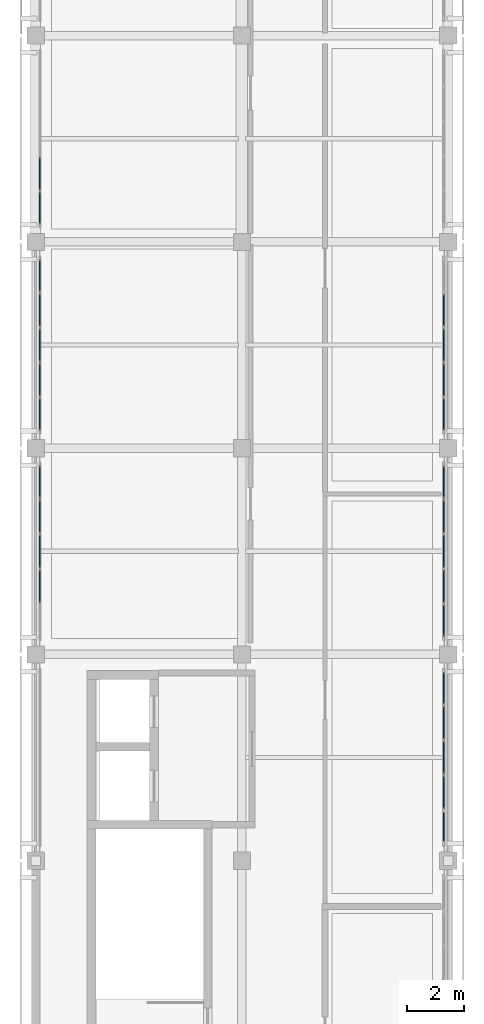
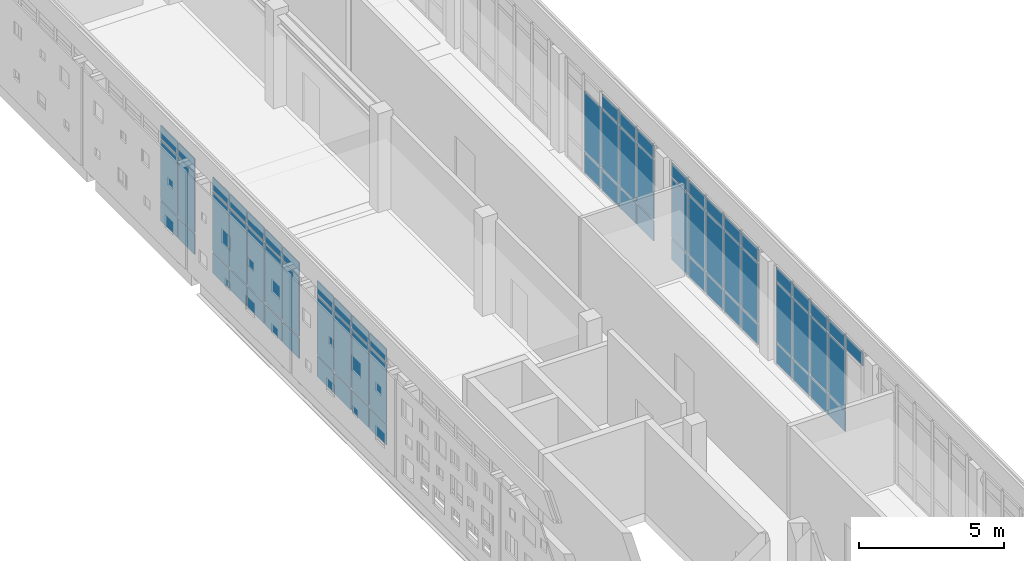
# One storey, part 11 of 19: 72 plates, 6 elements without a shape of their own.
"""IFC4 building model written with IfcOpenShell, lengths in metres."""

from ifc_helpers import new_model, si_unit, direction, frame, origin, origin_2d, place, context, subcontext, project, spatial, rectangle, extrude, material, layer, layer_set, type_object, element, aggregate, save


model = new_model("IFC4")

# Units and contexts
model_context = context("Model", 3, precision=1e-05, world=origin(), true_north=direction((0.0, 1.0)))
body_context = subcontext(model_context, "Body", "Model", "MODEL_VIEW")
ifc_project = project(units=[si_unit("LENGTHUNIT", "METRE"), si_unit("AREAUNIT", "SQUARE_METRE"), si_unit("VOLUMEUNIT", "CUBIC_METRE"), si_unit("PLANEANGLEUNIT", "RADIAN"), si_unit("MASSUNIT", "GRAM", prefix="KILO")], contexts=[model_context])

# Site, building, storey
site_placement = place(None, origin())
site = spatial("IfcSite", under=ifc_project, at=site_placement, CompositionType="ELEMENT")
building_placement = place(site_placement, origin())
building = spatial("IfcBuilding", under=site, at=building_placement, Name="Valkovuoma Quantum and Materials Research Institute", CompositionType="ELEMENT")
storey_placement = place(building_placement, frame((0.0, 0.0, 38.080078125)))
storey = spatial("IfcBuildingStorey", under=building, at=storey_placement, Name="L09", CompositionType="ELEMENT", Elevation=38.080078125)

# Curtain wall, plates
ifc_material_1 = material(Name="Thermally broken aluminium and triple low-E glazing", Category="aluminium")
ifc_layer_1 = layer(ifc_material_1, 0.219970703125)
ifc_layer_set_1 = layer_set([ifc_layer_1], Name="Thermally broken aluminium and triple low-E glazing")
curtain_wall_type = type_object("IfcCurtainWallType", Name="CW-CW-01", PredefinedType="NOTDEFINED", material=ifc_layer_set_1)
curtain_wall_1_placement = place(storey_placement, origin())
curtain_wall_1 = element("IfcCurtainWall", 1, at=curtain_wall_1_placement, inside=storey, type_object=curtain_wall_type, Name="L09 curtain wall 132", PredefinedType="NOTDEFINED")
ifc_material_2 = material(Name="Triple low-E argon insulating glass", Category="glass")
ifc_layer_2 = layer(ifc_material_2, 0.035888671875)
ifc_layer_set_2 = layer_set([ifc_layer_2], Name="Triple low-E argon insulating glass")
plate_type_1 = type_object("IfcPlateType", Name="CWPanel-CWP-01", PredefinedType="CURTAIN_PANEL", material=ifc_layer_set_2)
plate_1_placement = place(storey_placement, frame((0.14990234375, 45.582763671875, 0.06494140625), z_axis=(0.0, 0.0, 1.0), x_axis=(0.0, 1.0, 0.0)))
plate_1 = element("IfcPlate", 2, at=plate_1_placement, type_object=plate_type_1, Name="CW-01 panel 2.1", PredefinedType="CURTAIN_PANEL", context=body_context, shape_type="SweptSolid", body=[
    extrude(rectangle(XDim=1.152099609375, YDim=0.035888671875, at=origin_2d()), origin(), (0.0, 0.0, 1.0), 0.8525390625),
])
plate_2_placement = place(storey_placement, frame((0.14990234375, 45.582763671875, 0.982421875), z_axis=(0.0, 0.0, 1.0), x_axis=(0.0, 1.0, 0.0)))
plate_2 = element("IfcPlate", 3, at=plate_2_placement, type_object=plate_type_1, Name="CW-01 panel 2.2", PredefinedType="CURTAIN_PANEL", context=body_context, shape_type="SweptSolid", body=[
    extrude(rectangle(XDim=1.152099609375, YDim=0.035888671875, at=origin_2d()), origin(), (0.0, 0.0, 1.0), 2.4951171875),
])
plate_3_placement = place(storey_placement, frame((0.14990234375, 45.582763671875, 3.54248046875), z_axis=(0.0, 0.0, 1.0), x_axis=(0.0, 1.0, 0.0)))
plate_3 = element("IfcPlate", 4, at=plate_3_placement, type_object=plate_type_1, Name="CW-01 panel 2.3", PredefinedType="CURTAIN_PANEL", context=body_context, shape_type="SweptSolid", body=[
    extrude(rectangle(XDim=1.152099609375, YDim=0.035888671875, at=origin_2d()), origin(), (0.0, 0.0, 1.0), 0.552490234375),
])
plate_4_placement = place(storey_placement, frame((0.14990234375, 46.800048828125, 0.06494140625), z_axis=(0.0, 0.0, 1.0), x_axis=(0.0, 1.0, 0.0)))
plate_4 = element("IfcPlate", 5, at=plate_4_placement, type_object=plate_type_1, Name="CW-01 panel 3.1", PredefinedType="CURTAIN_PANEL", context=body_context, shape_type="SweptSolid", body=[
    extrude(rectangle(XDim=1.152099609375, YDim=0.035888671875, at=origin_2d()), origin(), (0.0, 0.0, 1.0), 0.8525390625),
])
plate_5_placement = place(storey_placement, frame((0.14990234375, 46.800048828125, 0.982421875), z_axis=(0.0, 0.0, 1.0), x_axis=(0.0, 1.0, 0.0)))
plate_5 = element("IfcPlate", 6, at=plate_5_placement, type_object=plate_type_1, Name="CW-01 panel 3.2", PredefinedType="CURTAIN_PANEL", context=body_context, shape_type="SweptSolid", body=[
    extrude(rectangle(XDim=1.152099609375, YDim=0.035888671875, at=origin_2d()), origin(), (0.0, 0.0, 1.0), 2.4951171875),
])
plate_6_placement = place(storey_placement, frame((0.14990234375, 46.800048828125, 3.54248046875), z_axis=(0.0, 0.0, 1.0), x_axis=(0.0, 1.0, 0.0)))
plate_6 = element("IfcPlate", 7, at=plate_6_placement, type_object=plate_type_1, Name="CW-01 panel 3.3", PredefinedType="CURTAIN_PANEL", context=body_context, shape_type="SweptSolid", body=[
    extrude(rectangle(XDim=1.152099609375, YDim=0.035888671875, at=origin_2d()), origin(), (0.0, 0.0, 1.0), 0.552490234375),
])
plate_7_placement = place(storey_placement, frame((0.14990234375, 48.01708984375, 0.06494140625), z_axis=(0.0, 0.0, 1.0), x_axis=(0.0, 1.0, 0.0)))
plate_7 = element("IfcPlate", 8, at=plate_7_placement, type_object=plate_type_1, Name="CW-01 panel 4.1", PredefinedType="CURTAIN_PANEL", context=body_context, shape_type="SweptSolid", body=[
    extrude(rectangle(XDim=1.152099609375, YDim=0.035888671875, at=origin_2d()), origin(), (0.0, 0.0, 1.0), 0.8525390625),
])
plate_8_placement = place(storey_placement, frame((0.14990234375, 48.01708984375, 0.982421875), z_axis=(0.0, 0.0, 1.0), x_axis=(0.0, 1.0, 0.0)))
plate_8 = element("IfcPlate", 9, at=plate_8_placement, type_object=plate_type_1, Name="CW-01 panel 4.2", PredefinedType="CURTAIN_PANEL", context=body_context, shape_type="SweptSolid", body=[
    extrude(rectangle(XDim=1.152099609375, YDim=0.035888671875, at=origin_2d()), origin(), (0.0, 0.0, 1.0), 2.4951171875),
])
plate_9_placement = place(storey_placement, frame((0.14990234375, 48.01708984375, 3.54248046875), z_axis=(0.0, 0.0, 1.0), x_axis=(0.0, 1.0, 0.0)))
plate_9 = element("IfcPlate", 10, at=plate_9_placement, type_object=plate_type_1, Name="CW-01 panel 4.3", PredefinedType="CURTAIN_PANEL", context=body_context, shape_type="SweptSolid", body=[
    extrude(rectangle(XDim=1.152099609375, YDim=0.035888671875, at=origin_2d()), origin(), (0.0, 0.0, 1.0), 0.552490234375),
])
plate_10_placement = place(storey_placement, frame((0.14990234375, 49.218017578125, 0.06494140625), z_axis=(0.0, 0.0, 1.0), x_axis=(0.0, 1.0, 0.0)))
plate_10 = element("IfcPlate", 11, at=plate_10_placement, type_object=plate_type_1, Name="CW-01 panel 5.1", PredefinedType="CURTAIN_PANEL", context=body_context, shape_type="SweptSolid", body=[
    extrude(rectangle(XDim=1.11962890625, YDim=0.035888671875, at=origin_2d()), origin(), (0.0, 0.0, 1.0), 0.8525390625),
])
plate_11_placement = place(storey_placement, frame((0.14990234375, 49.218017578125, 0.982421875), z_axis=(0.0, 0.0, 1.0), x_axis=(0.0, 1.0, 0.0)))
plate_11 = element("IfcPlate", 12, at=plate_11_placement, type_object=plate_type_1, Name="CW-01 panel 5.2", PredefinedType="CURTAIN_PANEL", context=body_context, shape_type="SweptSolid", body=[
    extrude(rectangle(XDim=1.11962890625, YDim=0.035888671875, at=origin_2d()), origin(), (0.0, 0.0, 1.0), 2.4951171875),
])
plate_12_placement = place(storey_placement, frame((0.14990234375, 49.218017578125, 3.54248046875), z_axis=(0.0, 0.0, 1.0), x_axis=(0.0, 1.0, 0.0)))
plate_12 = element("IfcPlate", 13, at=plate_12_placement, type_object=plate_type_1, Name="CW-01 panel 5.3", PredefinedType="CURTAIN_PANEL", context=body_context, shape_type="SweptSolid", body=[
    extrude(rectangle(XDim=1.11962890625, YDim=0.035888671875, at=origin_2d()), origin(), (0.0, 0.0, 1.0), 0.552490234375),
])
aggregate(curtain_wall_1, [plate_1, plate_2, plate_3, plate_4, plate_5, plate_6, plate_7, plate_8, plate_9, plate_10, plate_11, plate_12])

curtain_wall_2_placement = place(storey_placement, origin())
curtain_wall_2 = element("IfcCurtainWall", 14, at=curtain_wall_2_placement, inside=storey, type_object=curtain_wall_type, Name="L09 curtain wall 134", PredefinedType="NOTDEFINED")
plate_13_placement = place(storey_placement, frame((0.14990234375, 51.58203125, 0.06494140625), z_axis=(0.0, 0.0, 1.0), x_axis=(0.0, 1.0, 0.0)))
plate_13 = element("IfcPlate", 15, at=plate_13_placement, type_object=plate_type_1, Name="CW-01 panel 1.1", PredefinedType="CURTAIN_PANEL", context=body_context, shape_type="SweptSolid", body=[
    extrude(rectangle(XDim=1.11962890625, YDim=0.035888671875, at=origin_2d()), origin(), (0.0, 0.0, 1.0), 0.8525390625),
])
plate_14_placement = place(storey_placement, frame((0.14990234375, 51.58203125, 0.982421875), z_axis=(0.0, 0.0, 1.0), x_axis=(0.0, 1.0, 0.0)))
plate_14 = element("IfcPlate", 16, at=plate_14_placement, type_object=plate_type_1, Name="CW-01 panel 1.2", PredefinedType="CURTAIN_PANEL", context=body_context, shape_type="SweptSolid", body=[
    extrude(rectangle(XDim=1.11962890625, YDim=0.035888671875, at=origin_2d()), origin(), (0.0, 0.0, 1.0), 2.4951171875),
])
plate_15_placement = place(storey_placement, frame((0.14990234375, 51.58203125, 3.54248046875), z_axis=(0.0, 0.0, 1.0), x_axis=(0.0, 1.0, 0.0)))
plate_15 = element("IfcPlate", 17, at=plate_15_placement, type_object=plate_type_1, Name="CW-01 panel 1.3", PredefinedType="CURTAIN_PANEL", context=body_context, shape_type="SweptSolid", body=[
    extrude(rectangle(XDim=1.11962890625, YDim=0.035888671875, at=origin_2d()), origin(), (0.0, 0.0, 1.0), 0.552490234375),
])
plate_16_placement = place(storey_placement, frame((0.14990234375, 52.782958984375, 0.06494140625), z_axis=(0.0, 0.0, 1.0), x_axis=(0.0, 1.0, 0.0)))
plate_16 = element("IfcPlate", 18, at=plate_16_placement, type_object=plate_type_1, Name="CW-01 panel 2.1", PredefinedType="CURTAIN_PANEL", context=body_context, shape_type="SweptSolid", body=[
    extrude(rectangle(XDim=1.152099609375, YDim=0.035888671875, at=origin_2d()), origin(), (0.0, 0.0, 1.0), 0.8525390625),
])
plate_17_placement = place(storey_placement, frame((0.14990234375, 52.782958984375, 0.982421875), z_axis=(0.0, 0.0, 1.0), x_axis=(0.0, 1.0, 0.0)))
plate_17 = element("IfcPlate", 19, at=plate_17_placement, type_object=plate_type_1, Name="CW-01 panel 2.2", PredefinedType="CURTAIN_PANEL", context=body_context, shape_type="SweptSolid", body=[
    extrude(rectangle(XDim=1.152099609375, YDim=0.035888671875, at=origin_2d()), origin(), (0.0, 0.0, 1.0), 2.4951171875),
])
plate_18_placement = place(storey_placement, frame((0.14990234375, 52.782958984375, 3.54248046875), z_axis=(0.0, 0.0, 1.0), x_axis=(0.0, 1.0, 0.0)))
plate_18 = element("IfcPlate", 20, at=plate_18_placement, type_object=plate_type_1, Name="CW-01 panel 2.3", PredefinedType="CURTAIN_PANEL", context=body_context, shape_type="SweptSolid", body=[
    extrude(rectangle(XDim=1.152099609375, YDim=0.035888671875, at=origin_2d()), origin(), (0.0, 0.0, 1.0), 0.552490234375),
])
plate_19_placement = place(storey_placement, frame((0.14990234375, 54.0, 0.06494140625), z_axis=(0.0, 0.0, 1.0), x_axis=(0.0, 1.0, 0.0)))
plate_19 = element("IfcPlate", 21, at=plate_19_placement, type_object=plate_type_1, Name="CW-01 panel 3.1", PredefinedType="CURTAIN_PANEL", context=body_context, shape_type="SweptSolid", body=[
    extrude(rectangle(XDim=1.152099609375, YDim=0.035888671875, at=origin_2d()), origin(), (0.0, 0.0, 1.0), 0.8525390625),
])
plate_20_placement = place(storey_placement, frame((0.14990234375, 54.0, 0.982421875), z_axis=(0.0, 0.0, 1.0), x_axis=(0.0, 1.0, 0.0)))
plate_20 = element("IfcPlate", 22, at=plate_20_placement, type_object=plate_type_1, Name="CW-01 panel 3.2", PredefinedType="CURTAIN_PANEL", context=body_context, shape_type="SweptSolid", body=[
    extrude(rectangle(XDim=1.152099609375, YDim=0.035888671875, at=origin_2d()), origin(), (0.0, 0.0, 1.0), 2.4951171875),
])
plate_21_placement = place(storey_placement, frame((0.14990234375, 54.0, 3.54248046875), z_axis=(0.0, 0.0, 1.0), x_axis=(0.0, 1.0, 0.0)))
plate_21 = element("IfcPlate", 23, at=plate_21_placement, type_object=plate_type_1, Name="CW-01 panel 3.3", PredefinedType="CURTAIN_PANEL", context=body_context, shape_type="SweptSolid", body=[
    extrude(rectangle(XDim=1.152099609375, YDim=0.035888671875, at=origin_2d()), origin(), (0.0, 0.0, 1.0), 0.552490234375),
])
plate_22_placement = place(storey_placement, frame((0.14990234375, 55.217041015625, 0.06494140625), z_axis=(0.0, 0.0, 1.0), x_axis=(0.0, 1.0, 0.0)))
plate_22 = element("IfcPlate", 24, at=plate_22_placement, type_object=plate_type_1, Name="CW-01 panel 4.1", PredefinedType="CURTAIN_PANEL", context=body_context, shape_type="SweptSolid", body=[
    extrude(rectangle(XDim=1.152099609375, YDim=0.035888671875, at=origin_2d()), origin(), (0.0, 0.0, 1.0), 0.8525390625),
])
plate_23_placement = place(storey_placement, frame((0.14990234375, 55.217041015625, 0.982421875), z_axis=(0.0, 0.0, 1.0), x_axis=(0.0, 1.0, 0.0)))
plate_23 = element("IfcPlate", 25, at=plate_23_placement, type_object=plate_type_1, Name="CW-01 panel 4.2", PredefinedType="CURTAIN_PANEL", context=body_context, shape_type="SweptSolid", body=[
    extrude(rectangle(XDim=1.152099609375, YDim=0.035888671875, at=origin_2d()), origin(), (0.0, 0.0, 1.0), 2.4951171875),
])
plate_24_placement = place(storey_placement, frame((0.14990234375, 55.217041015625, 3.54248046875), z_axis=(0.0, 0.0, 1.0), x_axis=(0.0, 1.0, 0.0)))
plate_24 = element("IfcPlate", 26, at=plate_24_placement, type_object=plate_type_1, Name="CW-01 panel 4.3", PredefinedType="CURTAIN_PANEL", context=body_context, shape_type="SweptSolid", body=[
    extrude(rectangle(XDim=1.152099609375, YDim=0.035888671875, at=origin_2d()), origin(), (0.0, 0.0, 1.0), 0.552490234375),
])
plate_25_placement = place(storey_placement, frame((0.14990234375, 56.41796875, 0.06494140625), z_axis=(0.0, 0.0, 1.0), x_axis=(0.0, 1.0, 0.0)))
plate_25 = element("IfcPlate", 27, at=plate_25_placement, type_object=plate_type_1, Name="CW-01 panel 5.1", PredefinedType="CURTAIN_PANEL", context=body_context, shape_type="SweptSolid", body=[
    extrude(rectangle(XDim=1.11962890625, YDim=0.035888671875, at=origin_2d()), origin(), (0.0, 0.0, 1.0), 0.8525390625),
])
plate_26_placement = place(storey_placement, frame((0.14990234375, 56.41796875, 0.982421875), z_axis=(0.0, 0.0, 1.0), x_axis=(0.0, 1.0, 0.0)))
plate_26 = element("IfcPlate", 28, at=plate_26_placement, type_object=plate_type_1, Name="CW-01 panel 5.2", PredefinedType="CURTAIN_PANEL", context=body_context, shape_type="SweptSolid", body=[
    extrude(rectangle(XDim=1.11962890625, YDim=0.035888671875, at=origin_2d()), origin(), (0.0, 0.0, 1.0), 2.4951171875),
])
plate_27_placement = place(storey_placement, frame((0.14990234375, 56.41796875, 3.54248046875), z_axis=(0.0, 0.0, 1.0), x_axis=(0.0, 1.0, 0.0)))
plate_27 = element("IfcPlate", 29, at=plate_27_placement, type_object=plate_type_1, Name="CW-01 panel 5.3", PredefinedType="CURTAIN_PANEL", context=body_context, shape_type="SweptSolid", body=[
    extrude(rectangle(XDim=1.11962890625, YDim=0.035888671875, at=origin_2d()), origin(), (0.0, 0.0, 1.0), 0.552490234375),
])
aggregate(curtain_wall_2, [plate_13, plate_14, plate_15, plate_16, plate_17, plate_18, plate_19, plate_20, plate_21, plate_22, plate_23, plate_24, plate_25, plate_26, plate_27])

curtain_wall_3_placement = place(storey_placement, origin())
curtain_wall_3 = element("IfcCurtainWall", 30, at=curtain_wall_3_placement, inside=storey, type_object=curtain_wall_type, Name="L09 curtain wall 136", PredefinedType="NOTDEFINED")
plate_28_placement = place(storey_placement, frame((0.14990234375, 58.781982421875, 0.06494140625), z_axis=(0.0, 0.0, 1.0), x_axis=(0.0, 1.0, 0.0)))
plate_28 = element("IfcPlate", 31, at=plate_28_placement, type_object=plate_type_1, Name="CW-01 panel 1.1", PredefinedType="CURTAIN_PANEL", context=body_context, shape_type="SweptSolid", body=[
    extrude(rectangle(XDim=1.11962890625, YDim=0.035888671875, at=origin_2d()), origin(), (0.0, 0.0, 1.0), 0.8525390625),
])
plate_29_placement = place(storey_placement, frame((0.14990234375, 58.781982421875, 0.982421875), z_axis=(0.0, 0.0, 1.0), x_axis=(0.0, 1.0, 0.0)))
plate_29 = element("IfcPlate", 32, at=plate_29_placement, type_object=plate_type_1, Name="CW-01 panel 1.2", PredefinedType="CURTAIN_PANEL", context=body_context, shape_type="SweptSolid", body=[
    extrude(rectangle(XDim=1.11962890625, YDim=0.035888671875, at=origin_2d()), origin(), (0.0, 0.0, 1.0), 2.4951171875),
])
plate_30_placement = place(storey_placement, frame((0.14990234375, 58.781982421875, 3.54248046875), z_axis=(0.0, 0.0, 1.0), x_axis=(0.0, 1.0, 0.0)))
plate_30 = element("IfcPlate", 33, at=plate_30_placement, type_object=plate_type_1, Name="CW-01 panel 1.3", PredefinedType="CURTAIN_PANEL", context=body_context, shape_type="SweptSolid", body=[
    extrude(rectangle(XDim=1.11962890625, YDim=0.035888671875, at=origin_2d()), origin(), (0.0, 0.0, 1.0), 0.552490234375),
])
plate_31_placement = place(storey_placement, frame((0.14990234375, 59.98291015625, 0.06494140625), z_axis=(0.0, 0.0, 1.0), x_axis=(0.0, 1.0, 0.0)))
plate_31 = element("IfcPlate", 34, at=plate_31_placement, type_object=plate_type_1, Name="CW-01 panel 2.1", PredefinedType="CURTAIN_PANEL", context=body_context, shape_type="SweptSolid", body=[
    extrude(rectangle(XDim=1.152099609375, YDim=0.035888671875, at=origin_2d()), origin(), (0.0, 0.0, 1.0), 0.8525390625),
])
plate_32_placement = place(storey_placement, frame((0.14990234375, 59.98291015625, 0.982421875), z_axis=(0.0, 0.0, 1.0), x_axis=(0.0, 1.0, 0.0)))
plate_32 = element("IfcPlate", 35, at=plate_32_placement, type_object=plate_type_1, Name="CW-01 panel 2.2", PredefinedType="CURTAIN_PANEL", context=body_context, shape_type="SweptSolid", body=[
    extrude(rectangle(XDim=1.152099609375, YDim=0.035888671875, at=origin_2d()), origin(), (0.0, 0.0, 1.0), 2.4951171875),
])
plate_33_placement = place(storey_placement, frame((0.14990234375, 59.98291015625, 3.54248046875), z_axis=(0.0, 0.0, 1.0), x_axis=(0.0, 1.0, 0.0)))
plate_33 = element("IfcPlate", 36, at=plate_33_placement, type_object=plate_type_1, Name="CW-01 panel 2.3", PredefinedType="CURTAIN_PANEL", context=body_context, shape_type="SweptSolid", body=[
    extrude(rectangle(XDim=1.152099609375, YDim=0.035888671875, at=origin_2d()), origin(), (0.0, 0.0, 1.0), 0.552490234375),
])
aggregate(curtain_wall_3, [plate_28, plate_29, plate_30, plate_31, plate_32, plate_33])

curtain_wall_4_placement = place(storey_placement, origin())
curtain_wall_4 = element("IfcCurtainWall", 37, at=curtain_wall_4_placement, inside=storey, type_object=curtain_wall_type, Name="L09 curtain wall 131", PredefinedType="NOTDEFINED")
ifc_material_3 = material(Name="Triple low-E argon insulating glass", Category="glass")
ifc_layer_3 = layer(ifc_material_3, 0.0419921875)
ifc_layer_set_3 = layer_set([ifc_layer_3], Name="Triple low-E argon insulating glass")
plate_type_2 = type_object("IfcPlateType", Name="CWPanel-CWP-02", PredefinedType="CURTAIN_PANEL", material=ifc_layer_set_3)
plate_34_placement = place(storey_placement, frame((14.25, 37.181884765625, 3.54248046875), z_axis=(0.0, 0.0, 1.0), x_axis=(0.0, 1.0, 0.0)))
plate_34 = element("IfcPlate", 38, at=plate_34_placement, type_object=plate_type_2, Name="CW-01 panel 1.3", PredefinedType="CURTAIN_PANEL", context=body_context, shape_type="SweptSolid", body=[
    extrude(rectangle(XDim=1.11962890625, YDim=0.0419921875, at=origin_2d()), origin(), (0.0, 0.0, 1.0), 0.552490234375),
])
plate_35_placement = place(storey_placement, frame((14.25, 38.3828125, 0.06494140625), z_axis=(0.0, 0.0, 1.0), x_axis=(0.0, 1.0, 0.0)))
plate_35 = element("IfcPlate", 39, at=plate_35_placement, type_object=plate_type_2, Name="CW-01 panel 2.1", PredefinedType="CURTAIN_PANEL", context=body_context, shape_type="SweptSolid", body=[
    extrude(rectangle(XDim=1.152099609375, YDim=0.0419921875, at=origin_2d()), origin(), (0.0, 0.0, 1.0), 0.8525390625),
])
plate_36_placement = place(storey_placement, frame((14.25, 38.3828125, 0.982421875), z_axis=(0.0, 0.0, 1.0), x_axis=(0.0, 1.0, 0.0)))
plate_36 = element("IfcPlate", 40, at=plate_36_placement, type_object=plate_type_2, Name="CW-01 panel 2.2", PredefinedType="CURTAIN_PANEL", context=body_context, shape_type="SweptSolid", body=[
    extrude(rectangle(XDim=1.152099609375, YDim=0.0419921875, at=origin_2d()), origin(), (0.0, 0.0, 1.0), 2.4951171875),
])
plate_37_placement = place(storey_placement, frame((14.25, 38.3828125, 3.54248046875), z_axis=(0.0, 0.0, 1.0), x_axis=(0.0, 1.0, 0.0)))
plate_37 = element("IfcPlate", 41, at=plate_37_placement, type_object=plate_type_2, Name="CW-01 panel 2.3", PredefinedType="CURTAIN_PANEL", context=body_context, shape_type="SweptSolid", body=[
    extrude(rectangle(XDim=1.152099609375, YDim=0.0419921875, at=origin_2d()), origin(), (0.0, 0.0, 1.0), 0.552490234375),
])
plate_38_placement = place(storey_placement, frame((14.25, 39.60009765625, 0.06494140625), z_axis=(0.0, 0.0, 1.0), x_axis=(0.0, 1.0, 0.0)))
plate_38 = element("IfcPlate", 42, at=plate_38_placement, type_object=plate_type_2, Name="CW-01 panel 3.1", PredefinedType="CURTAIN_PANEL", context=body_context, shape_type="SweptSolid", body=[
    extrude(rectangle(XDim=1.152099609375, YDim=0.0419921875, at=origin_2d()), origin(), (0.0, 0.0, 1.0), 0.8525390625),
])
plate_39_placement = place(storey_placement, frame((14.25, 39.60009765625, 0.982421875), z_axis=(0.0, 0.0, 1.0), x_axis=(0.0, 1.0, 0.0)))
plate_39 = element("IfcPlate", 43, at=plate_39_placement, type_object=plate_type_2, Name="CW-01 panel 3.2", PredefinedType="CURTAIN_PANEL", context=body_context, shape_type="SweptSolid", body=[
    extrude(rectangle(XDim=1.152099609375, YDim=0.0419921875, at=origin_2d()), origin(), (0.0, 0.0, 1.0), 2.4951171875),
])
plate_40_placement = place(storey_placement, frame((14.25, 39.60009765625, 3.54248046875), z_axis=(0.0, 0.0, 1.0), x_axis=(0.0, 1.0, 0.0)))
plate_40 = element("IfcPlate", 44, at=plate_40_placement, type_object=plate_type_2, Name="CW-01 panel 3.3", PredefinedType="CURTAIN_PANEL", context=body_context, shape_type="SweptSolid", body=[
    extrude(rectangle(XDim=1.152099609375, YDim=0.0419921875, at=origin_2d()), origin(), (0.0, 0.0, 1.0), 0.552490234375),
])
plate_41_placement = place(storey_placement, frame((14.25, 40.817138671875, 0.06494140625), z_axis=(0.0, 0.0, 1.0), x_axis=(0.0, 1.0, 0.0)))
plate_41 = element("IfcPlate", 45, at=plate_41_placement, type_object=plate_type_2, Name="CW-01 panel 4.1", PredefinedType="CURTAIN_PANEL", context=body_context, shape_type="SweptSolid", body=[
    extrude(rectangle(XDim=1.152099609375, YDim=0.0419921875, at=origin_2d()), origin(), (0.0, 0.0, 1.0), 0.8525390625),
])
plate_42_placement = place(storey_placement, frame((14.25, 40.817138671875, 0.982421875), z_axis=(0.0, 0.0, 1.0), x_axis=(0.0, 1.0, 0.0)))
plate_42 = element("IfcPlate", 46, at=plate_42_placement, type_object=plate_type_2, Name="CW-01 panel 4.2", PredefinedType="CURTAIN_PANEL", context=body_context, shape_type="SweptSolid", body=[
    extrude(rectangle(XDim=1.152099609375, YDim=0.0419921875, at=origin_2d()), origin(), (0.0, 0.0, 1.0), 2.4951171875),
])
plate_43_placement = place(storey_placement, frame((14.25, 40.817138671875, 3.54248046875), z_axis=(0.0, 0.0, 1.0), x_axis=(0.0, 1.0, 0.0)))
plate_43 = element("IfcPlate", 47, at=plate_43_placement, type_object=plate_type_2, Name="CW-01 panel 4.3", PredefinedType="CURTAIN_PANEL", context=body_context, shape_type="SweptSolid", body=[
    extrude(rectangle(XDim=1.152099609375, YDim=0.0419921875, at=origin_2d()), origin(), (0.0, 0.0, 1.0), 0.552490234375),
])
plate_44_placement = place(storey_placement, frame((14.25, 42.01806640625, 0.06494140625), z_axis=(0.0, 0.0, 1.0), x_axis=(0.0, 1.0, 0.0)))
plate_44 = element("IfcPlate", 48, at=plate_44_placement, type_object=plate_type_2, Name="CW-01 panel 5.1", PredefinedType="CURTAIN_PANEL", context=body_context, shape_type="SweptSolid", body=[
    extrude(rectangle(XDim=1.11962890625, YDim=0.0419921875, at=origin_2d()), origin(), (0.0, 0.0, 1.0), 0.8525390625),
])
plate_45_placement = place(storey_placement, frame((14.25, 42.01806640625, 0.982421875), z_axis=(0.0, 0.0, 1.0), x_axis=(0.0, 1.0, 0.0)))
plate_45 = element("IfcPlate", 49, at=plate_45_placement, type_object=plate_type_2, Name="CW-01 panel 5.2", PredefinedType="CURTAIN_PANEL", context=body_context, shape_type="SweptSolid", body=[
    extrude(rectangle(XDim=1.11962890625, YDim=0.0419921875, at=origin_2d()), origin(), (0.0, 0.0, 1.0), 2.4951171875),
])
plate_46_placement = place(storey_placement, frame((14.25, 42.01806640625, 3.54248046875), z_axis=(0.0, 0.0, 1.0), x_axis=(0.0, 1.0, 0.0)))
plate_46 = element("IfcPlate", 50, at=plate_46_placement, type_object=plate_type_2, Name="CW-01 panel 5.3", PredefinedType="CURTAIN_PANEL", context=body_context, shape_type="SweptSolid", body=[
    extrude(rectangle(XDim=1.11962890625, YDim=0.0419921875, at=origin_2d()), origin(), (0.0, 0.0, 1.0), 0.552490234375),
])
aggregate(curtain_wall_4, [plate_34, plate_35, plate_36, plate_37, plate_38, plate_39, plate_40, plate_41, plate_42, plate_43, plate_44, plate_45, plate_46])

curtain_wall_5_placement = place(storey_placement, origin())
curtain_wall_5 = element("IfcCurtainWall", 51, at=curtain_wall_5_placement, inside=storey, type_object=curtain_wall_type, Name="L09 curtain wall 133", PredefinedType="NOTDEFINED")
plate_47_placement = place(storey_placement, frame((14.25, 44.3818359375, 0.06494140625), z_axis=(0.0, 0.0, 1.0), x_axis=(0.0, 1.0, 0.0)))
plate_47 = element("IfcPlate", 52, at=plate_47_placement, type_object=plate_type_2, Name="CW-01 panel 1.1", PredefinedType="CURTAIN_PANEL", context=body_context, shape_type="SweptSolid", body=[
    extrude(rectangle(XDim=1.11962890625, YDim=0.0419921875, at=origin_2d()), origin(), (0.0, 0.0, 1.0), 0.8525390625),
])
plate_48_placement = place(storey_placement, frame((14.25, 44.3818359375, 0.982421875), z_axis=(0.0, 0.0, 1.0), x_axis=(0.0, 1.0, 0.0)))
plate_48 = element("IfcPlate", 53, at=plate_48_placement, type_object=plate_type_2, Name="CW-01 panel 1.2", PredefinedType="CURTAIN_PANEL", context=body_context, shape_type="SweptSolid", body=[
    extrude(rectangle(XDim=1.11962890625, YDim=0.0419921875, at=origin_2d()), origin(), (0.0, 0.0, 1.0), 2.4951171875),
])
plate_49_placement = place(storey_placement, frame((14.25, 44.3818359375, 3.54248046875), z_axis=(0.0, 0.0, 1.0), x_axis=(0.0, 1.0, 0.0)))
plate_49 = element("IfcPlate", 54, at=plate_49_placement, type_object=plate_type_2, Name="CW-01 panel 1.3", PredefinedType="CURTAIN_PANEL", context=body_context, shape_type="SweptSolid", body=[
    extrude(rectangle(XDim=1.11962890625, YDim=0.0419921875, at=origin_2d()), origin(), (0.0, 0.0, 1.0), 0.552490234375),
])
plate_50_placement = place(storey_placement, frame((14.25, 45.582763671875, 0.06494140625), z_axis=(0.0, 0.0, 1.0), x_axis=(0.0, 1.0, 0.0)))
plate_50 = element("IfcPlate", 55, at=plate_50_placement, type_object=plate_type_2, Name="CW-01 panel 2.1", PredefinedType="CURTAIN_PANEL", context=body_context, shape_type="SweptSolid", body=[
    extrude(rectangle(XDim=1.152099609375, YDim=0.0419921875, at=origin_2d()), origin(), (0.0, 0.0, 1.0), 0.8525390625),
])
plate_51_placement = place(storey_placement, frame((14.25, 45.582763671875, 0.982421875), z_axis=(0.0, 0.0, 1.0), x_axis=(0.0, 1.0, 0.0)))
plate_51 = element("IfcPlate", 56, at=plate_51_placement, type_object=plate_type_2, Name="CW-01 panel 2.2", PredefinedType="CURTAIN_PANEL", context=body_context, shape_type="SweptSolid", body=[
    extrude(rectangle(XDim=1.152099609375, YDim=0.0419921875, at=origin_2d()), origin(), (0.0, 0.0, 1.0), 2.4951171875),
])
plate_52_placement = place(storey_placement, frame((14.25, 45.582763671875, 3.54248046875), z_axis=(0.0, 0.0, 1.0), x_axis=(0.0, 1.0, 0.0)))
plate_52 = element("IfcPlate", 57, at=plate_52_placement, type_object=plate_type_2, Name="CW-01 panel 2.3", PredefinedType="CURTAIN_PANEL", context=body_context, shape_type="SweptSolid", body=[
    extrude(rectangle(XDim=1.152099609375, YDim=0.0419921875, at=origin_2d()), origin(), (0.0, 0.0, 1.0), 0.552490234375),
])
plate_53_placement = place(storey_placement, frame((14.25, 46.800048828125, 0.06494140625), z_axis=(0.0, 0.0, 1.0), x_axis=(0.0, 1.0, 0.0)))
plate_53 = element("IfcPlate", 58, at=plate_53_placement, type_object=plate_type_2, Name="CW-01 panel 3.1", PredefinedType="CURTAIN_PANEL", context=body_context, shape_type="SweptSolid", body=[
    extrude(rectangle(XDim=1.152099609375, YDim=0.0419921875, at=origin_2d()), origin(), (0.0, 0.0, 1.0), 0.8525390625),
])
plate_54_placement = place(storey_placement, frame((14.25, 46.800048828125, 0.982421875), z_axis=(0.0, 0.0, 1.0), x_axis=(0.0, 1.0, 0.0)))
plate_54 = element("IfcPlate", 59, at=plate_54_placement, type_object=plate_type_2, Name="CW-01 panel 3.2", PredefinedType="CURTAIN_PANEL", context=body_context, shape_type="SweptSolid", body=[
    extrude(rectangle(XDim=1.152099609375, YDim=0.0419921875, at=origin_2d()), origin(), (0.0, 0.0, 1.0), 2.4951171875),
])
plate_55_placement = place(storey_placement, frame((14.25, 46.800048828125, 3.54248046875), z_axis=(0.0, 0.0, 1.0), x_axis=(0.0, 1.0, 0.0)))
plate_55 = element("IfcPlate", 60, at=plate_55_placement, type_object=plate_type_2, Name="CW-01 panel 3.3", PredefinedType="CURTAIN_PANEL", context=body_context, shape_type="SweptSolid", body=[
    extrude(rectangle(XDim=1.152099609375, YDim=0.0419921875, at=origin_2d()), origin(), (0.0, 0.0, 1.0), 0.552490234375),
])
plate_56_placement = place(storey_placement, frame((14.25, 48.01708984375, 0.06494140625), z_axis=(0.0, 0.0, 1.0), x_axis=(0.0, 1.0, 0.0)))
plate_56 = element("IfcPlate", 61, at=plate_56_placement, type_object=plate_type_2, Name="CW-01 panel 4.1", PredefinedType="CURTAIN_PANEL", context=body_context, shape_type="SweptSolid", body=[
    extrude(rectangle(XDim=1.152099609375, YDim=0.0419921875, at=origin_2d()), origin(), (0.0, 0.0, 1.0), 0.8525390625),
])
plate_57_placement = place(storey_placement, frame((14.25, 48.01708984375, 0.982421875), z_axis=(0.0, 0.0, 1.0), x_axis=(0.0, 1.0, 0.0)))
plate_57 = element("IfcPlate", 62, at=plate_57_placement, type_object=plate_type_2, Name="CW-01 panel 4.2", PredefinedType="CURTAIN_PANEL", context=body_context, shape_type="SweptSolid", body=[
    extrude(rectangle(XDim=1.152099609375, YDim=0.0419921875, at=origin_2d()), origin(), (0.0, 0.0, 1.0), 2.4951171875),
])
plate_58_placement = place(storey_placement, frame((14.25, 48.01708984375, 3.54248046875), z_axis=(0.0, 0.0, 1.0), x_axis=(0.0, 1.0, 0.0)))
plate_58 = element("IfcPlate", 63, at=plate_58_placement, type_object=plate_type_2, Name="CW-01 panel 4.3", PredefinedType="CURTAIN_PANEL", context=body_context, shape_type="SweptSolid", body=[
    extrude(rectangle(XDim=1.152099609375, YDim=0.0419921875, at=origin_2d()), origin(), (0.0, 0.0, 1.0), 0.552490234375),
])
plate_59_placement = place(storey_placement, frame((14.25, 49.218017578125, 0.06494140625), z_axis=(0.0, 0.0, 1.0), x_axis=(0.0, 1.0, 0.0)))
plate_59 = element("IfcPlate", 64, at=plate_59_placement, type_object=plate_type_2, Name="CW-01 panel 5.1", PredefinedType="CURTAIN_PANEL", context=body_context, shape_type="SweptSolid", body=[
    extrude(rectangle(XDim=1.11962890625, YDim=0.0419921875, at=origin_2d()), origin(), (0.0, 0.0, 1.0), 0.8525390625),
])
plate_60_placement = place(storey_placement, frame((14.25, 49.218017578125, 0.982421875), z_axis=(0.0, 0.0, 1.0), x_axis=(0.0, 1.0, 0.0)))
plate_60 = element("IfcPlate", 65, at=plate_60_placement, type_object=plate_type_2, Name="CW-01 panel 5.2", PredefinedType="CURTAIN_PANEL", context=body_context, shape_type="SweptSolid", body=[
    extrude(rectangle(XDim=1.11962890625, YDim=0.0419921875, at=origin_2d()), origin(), (0.0, 0.0, 1.0), 2.4951171875),
])
plate_61_placement = place(storey_placement, frame((14.25, 49.218017578125, 3.54248046875), z_axis=(0.0, 0.0, 1.0), x_axis=(0.0, 1.0, 0.0)))
plate_61 = element("IfcPlate", 66, at=plate_61_placement, type_object=plate_type_2, Name="CW-01 panel 5.3", PredefinedType="CURTAIN_PANEL", context=body_context, shape_type="SweptSolid", body=[
    extrude(rectangle(XDim=1.11962890625, YDim=0.0419921875, at=origin_2d()), origin(), (0.0, 0.0, 1.0), 0.552490234375),
])
aggregate(curtain_wall_5, [plate_47, plate_48, plate_49, plate_50, plate_51, plate_52, plate_53, plate_54, plate_55, plate_56, plate_57, plate_58, plate_59, plate_60, plate_61])

curtain_wall_6_placement = place(storey_placement, origin())
curtain_wall_6 = element("IfcCurtainWall", 67, at=curtain_wall_6_placement, inside=storey, type_object=curtain_wall_type, Name="L09 curtain wall 135", PredefinedType="NOTDEFINED")
plate_62_placement = place(storey_placement, frame((14.25, 51.58203125, 0.06494140625), z_axis=(0.0, 0.0, 1.0), x_axis=(0.0, 1.0, 0.0)))
plate_62 = element("IfcPlate", 68, at=plate_62_placement, type_object=plate_type_2, Name="CW-01 panel 1.1", PredefinedType="CURTAIN_PANEL", context=body_context, shape_type="SweptSolid", body=[
    extrude(rectangle(XDim=1.11962890625, YDim=0.0419921875, at=origin_2d()), origin(), (0.0, 0.0, 1.0), 0.8525390625),
])
plate_63_placement = place(storey_placement, frame((14.25, 51.58203125, 0.982421875), z_axis=(0.0, 0.0, 1.0), x_axis=(0.0, 1.0, 0.0)))
plate_63 = element("IfcPlate", 69, at=plate_63_placement, type_object=plate_type_2, Name="CW-01 panel 1.2", PredefinedType="CURTAIN_PANEL", context=body_context, shape_type="SweptSolid", body=[
    extrude(rectangle(XDim=1.11962890625, YDim=0.0419921875, at=origin_2d()), origin(), (0.0, 0.0, 1.0), 2.4951171875),
])
plate_64_placement = place(storey_placement, frame((14.25, 51.58203125, 3.54248046875), z_axis=(0.0, 0.0, 1.0), x_axis=(0.0, 1.0, 0.0)))
plate_64 = element("IfcPlate", 70, at=plate_64_placement, type_object=plate_type_2, Name="CW-01 panel 1.3", PredefinedType="CURTAIN_PANEL", context=body_context, shape_type="SweptSolid", body=[
    extrude(rectangle(XDim=1.11962890625, YDim=0.0419921875, at=origin_2d()), origin(), (0.0, 0.0, 1.0), 0.552490234375),
])
plate_65_placement = place(storey_placement, frame((14.25, 52.782958984375, 0.06494140625), z_axis=(0.0, 0.0, 1.0), x_axis=(0.0, 1.0, 0.0)))
plate_65 = element("IfcPlate", 71, at=plate_65_placement, type_object=plate_type_2, Name="CW-01 panel 2.1", PredefinedType="CURTAIN_PANEL", context=body_context, shape_type="SweptSolid", body=[
    extrude(rectangle(XDim=1.152099609375, YDim=0.0419921875, at=origin_2d()), origin(), (0.0, 0.0, 1.0), 0.8525390625),
])
plate_66_placement = place(storey_placement, frame((14.25, 52.782958984375, 0.982421875), z_axis=(0.0, 0.0, 1.0), x_axis=(0.0, 1.0, 0.0)))
plate_66 = element("IfcPlate", 72, at=plate_66_placement, type_object=plate_type_2, Name="CW-01 panel 2.2", PredefinedType="CURTAIN_PANEL", context=body_context, shape_type="SweptSolid", body=[
    extrude(rectangle(XDim=1.152099609375, YDim=0.0419921875, at=origin_2d()), origin(), (0.0, 0.0, 1.0), 2.4951171875),
])
plate_67_placement = place(storey_placement, frame((14.25, 52.782958984375, 3.54248046875), z_axis=(0.0, 0.0, 1.0), x_axis=(0.0, 1.0, 0.0)))
plate_67 = element("IfcPlate", 73, at=plate_67_placement, type_object=plate_type_2, Name="CW-01 panel 2.3", PredefinedType="CURTAIN_PANEL", context=body_context, shape_type="SweptSolid", body=[
    extrude(rectangle(XDim=1.152099609375, YDim=0.0419921875, at=origin_2d()), origin(), (0.0, 0.0, 1.0), 0.552490234375),
])
plate_68_placement = place(storey_placement, frame((14.25, 54.0, 0.06494140625), z_axis=(0.0, 0.0, 1.0), x_axis=(0.0, 1.0, 0.0)))
plate_68 = element("IfcPlate", 74, at=plate_68_placement, type_object=plate_type_2, Name="CW-01 panel 3.1", PredefinedType="CURTAIN_PANEL", context=body_context, shape_type="SweptSolid", body=[
    extrude(rectangle(XDim=1.152099609375, YDim=0.0419921875, at=origin_2d()), origin(), (0.0, 0.0, 1.0), 0.8525390625),
])
plate_69_placement = place(storey_placement, frame((14.25, 54.0, 0.982421875), z_axis=(0.0, 0.0, 1.0), x_axis=(0.0, 1.0, 0.0)))
plate_69 = element("IfcPlate", 75, at=plate_69_placement, type_object=plate_type_2, Name="CW-01 panel 3.2", PredefinedType="CURTAIN_PANEL", context=body_context, shape_type="SweptSolid", body=[
    extrude(rectangle(XDim=1.152099609375, YDim=0.0419921875, at=origin_2d()), origin(), (0.0, 0.0, 1.0), 2.4951171875),
])
plate_70_placement = place(storey_placement, frame((14.25, 54.0, 3.54248046875), z_axis=(0.0, 0.0, 1.0), x_axis=(0.0, 1.0, 0.0)))
plate_70 = element("IfcPlate", 76, at=plate_70_placement, type_object=plate_type_2, Name="CW-01 panel 3.3", PredefinedType="CURTAIN_PANEL", context=body_context, shape_type="SweptSolid", body=[
    extrude(rectangle(XDim=1.152099609375, YDim=0.0419921875, at=origin_2d()), origin(), (0.0, 0.0, 1.0), 0.552490234375),
])
plate_71_placement = place(storey_placement, frame((14.25, 55.217041015625, 0.06494140625), z_axis=(0.0, 0.0, 1.0), x_axis=(0.0, 1.0, 0.0)))
plate_71 = element("IfcPlate", 77, at=plate_71_placement, type_object=plate_type_2, Name="CW-01 panel 4.1", PredefinedType="CURTAIN_PANEL", context=body_context, shape_type="SweptSolid", body=[
    extrude(rectangle(XDim=1.152099609375, YDim=0.0419921875, at=origin_2d()), origin(), (0.0, 0.0, 1.0), 0.8525390625),
])
plate_72_placement = place(storey_placement, frame((14.25, 55.217041015625, 0.982421875), z_axis=(0.0, 0.0, 1.0), x_axis=(0.0, 1.0, 0.0)))
plate_72 = element("IfcPlate", 78, at=plate_72_placement, type_object=plate_type_2, Name="CW-01 panel 4.2", PredefinedType="CURTAIN_PANEL", context=body_context, shape_type="SweptSolid", body=[
    extrude(rectangle(XDim=1.152099609375, YDim=0.0419921875, at=origin_2d()), origin(), (0.0, 0.0, 1.0), 2.4951171875),
])
aggregate(curtain_wall_6, [plate_62, plate_63, plate_64, plate_65, plate_66, plate_67, plate_68, plate_69, plate_70, plate_71, plate_72])

save(model, "model.ifc")
